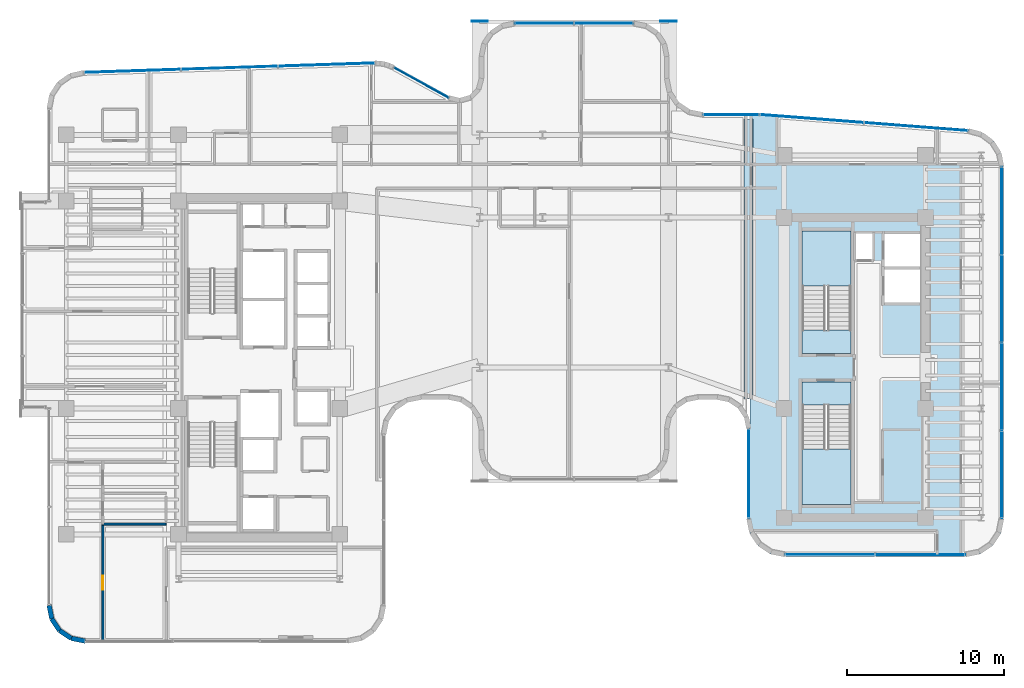
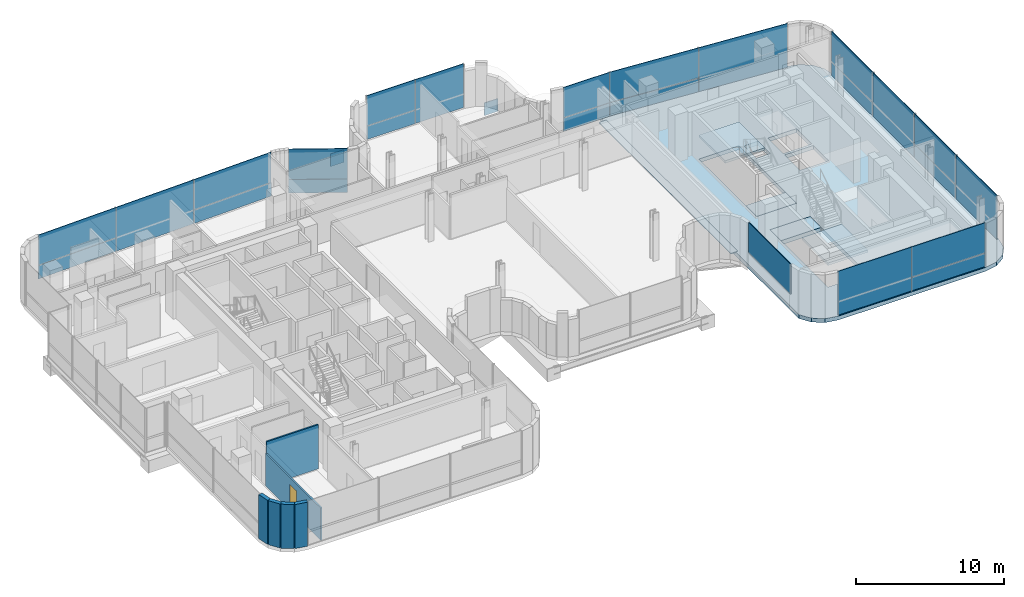
# One storey, part 25 of 38: 28 plates, 6 walls, 5 slabs, 1 door, 1 opening, 10 elements without a shape of their own.
"""IFC4 building model written with IfcOpenShell, lengths in metres."""

from ifc_helpers import new_model, si_unit, direction, frame, frame_2d, origin, origin_2d, place, context, subcontext, project, spatial, polyline, rectangle, outline, extrude, source, transform, mapped, material, layer, layer_set, type_object, element, fill, aggregate, save


model = new_model("IFC4")

# Units and contexts
model_context = context("Model", 3, precision=1e-05, world=origin(), true_north=direction((0.0, 1.0)))
body_context = subcontext(model_context, "Body", "Model", "MODEL_VIEW")
ifc_project = project(units=[si_unit("LENGTHUNIT", "METRE"), si_unit("AREAUNIT", "SQUARE_METRE"), si_unit("VOLUMEUNIT", "CUBIC_METRE"), si_unit("PLANEANGLEUNIT", "RADIAN"), si_unit("MASSUNIT", "GRAM", prefix="KILO")], contexts=[model_context])

# Site, building, storey
site_placement = place(None, origin())
site = spatial("IfcSite", under=ifc_project, at=site_placement, CompositionType="ELEMENT")
building_placement = place(site_placement, origin())
building = spatial("IfcBuilding", under=site, at=building_placement, Name="Valdorenza Pilgrim Sanctuary Tower", CompositionType="ELEMENT")
storey_placement = place(building_placement, frame((0.0, 0.0, 180.5)))
storey = spatial("IfcBuildingStorey", under=building, at=storey_placement, Name="L46", CompositionType="ELEMENT", Elevation=180.5)

# Slab
ifc_material_1 = material(Name="Concrete C40/50", Category="concrete")
ifc_layer_1 = layer(ifc_material_1, 0.320068359375, Name="Concrete C40/50")
ifc_layer_set_1 = layer_set([ifc_layer_1], Name="Concrete C40/50")
slab_type_1 = type_object("IfcSlabType", Name="SLAB-PRY-320", PredefinedType="FLOOR", material=ifc_layer_set_1)
slab_1_placement = place(storey_placement, frame((0.0, 0.0, -0.320068359375)))
element("IfcSlab", 1, at=slab_1_placement, inside=storey, type_object=slab_type_1, Name="L46 Structural Floor Slab 2", PredefinedType="FLOOR", context=body_context, shape_type="SweptSolid", body=[
    extrude(outline(polyline([(27.585205078125, 15.17138671875), (28.4453125, 14.93896484375), (29.161376953125, 14.408935546875), (29.634521484375, 13.654052734375), (29.800048828125, 12.778564453125), (29.800048828125, -9.60009765625), (29.6171875, -10.518310546875), (29.09716796875, -11.297119140625), (28.318359375, -11.8173828125), (27.39990234375, -12.0), (15.89990234375, -12.0), (14.981689453125, -11.8173828125), (14.202880859375, -11.297119140625), (13.6826171875, -10.518310546875), (13.679931640625, -10.5048828125), (13.679931640625, 16.199951171875), (14.300048828125, 16.199951171875), (27.585205078125, 15.17138671875)]), holes=[polyline([(17.0, -8.699951171875), (20.110107421875, -8.699951171875), (20.110107421875, -2.385009765625), (20.110107421875, -0.89990234375), (17.0, -0.89990234375), (17.0, -2.385009765625), (17.0, -8.699951171875)]), polyline([(17.0, 0.89990234375), (20.110107421875, 0.89990234375), (20.110107421875, 2.385009765625), (20.110107421875, 8.699951171875), (17.0, 8.699951171875), (17.0, 2.385009765625), (17.0, 0.89990234375)]), polyline([(22.25, 4.14990234375), (24.47998046875, 4.14990234375), (24.47998046875, 6.22509765625), (22.25, 6.22509765625), (22.25, 4.14990234375)]), polyline([(22.25, 6.425048828125), (24.47998046875, 6.425048828125), (24.47998046875, 8.5), (22.25, 8.5), (22.25, 6.425048828125)]), polyline([(20.409912109375, 6.860107421875), (21.489990234375, 6.860107421875), (21.489990234375, 8.52001953125), (20.409912109375, 8.52001953125), (20.409912109375, 6.860107421875)])]), origin(), (0.0, 0.0, 1.0), 0.320068359375),
])

# Stair, slab
stair_type = type_object("IfcStairType", Name="STR-DOG-CORE", PredefinedType="HALF_TURN_STAIR", material=ifc_material_1)
stair_1_placement = place(storey_placement, origin())
stair_1 = element("IfcStair", 2, at=stair_1_placement, inside=storey, type_object=stair_type, Name="L46 ST-B1", PredefinedType="HALF_TURN_STAIR")
ifc_layer_2 = layer(ifc_material_1, 0.199951171875, Name="Concrete C40/50")
ifc_layer_set_2 = layer_set([ifc_layer_2], Name="Concrete C40/50")
slab_type_2 = type_object("IfcSlabType", Name="SLAB-STL-200", PredefinedType="LANDING", material=ifc_layer_set_2)
slab_2_placement = place(storey_placement, frame((0.0, 0.0, 1.77490234375)))
slab_2 = element("IfcSlab", 3, at=slab_2_placement, type_object=slab_type_2, Name="ST-B1 landing 1", PredefinedType="LANDING", context=body_context, shape_type="SweptSolid", body=[
    extrude(outline(polyline([(20.110107421875, 5.179931640625), (20.110107421875, 8.699951171875), (17.0, 8.699951171875), (17.0, 5.179931640625), (20.110107421875, 5.179931640625)])), origin(), (0.0, 0.0, 1.0), 0.2001953125),
])
aggregate(stair_1, [slab_2])

stair_2_placement = place(storey_placement, origin())
stair_2 = element("IfcStair", 4, at=stair_2_placement, inside=storey, type_object=stair_type, Name="L46 ST-B2", PredefinedType="HALF_TURN_STAIR")
slab_3_placement = place(storey_placement, frame((0.0, 0.0, 1.77490234375)))
slab_3 = element("IfcSlab", 5, at=slab_3_placement, type_object=slab_type_2, Name="ST-B2 landing 1", PredefinedType="LANDING", context=body_context, shape_type="SweptSolid", body=[
    extrude(outline(polyline([(17.0, -5.179931640625), (17.0, -8.699951171875), (20.110107421875, -8.699951171875), (20.110107421875, -5.179931640625), (17.0, -5.179931640625)])), origin(), (0.0, 0.0, 1.0), 0.2001953125),
])
aggregate(stair_2, [slab_3])

# Slabs
ifc_material_2 = material(Name="Concrete C50/60", Category="concrete")
ifc_layer_3 = layer(ifc_material_2, 0.39990234375, Name="Concrete C50/60")
ifc_layer_set_3 = layer_set([ifc_layer_3], Name="Concrete C50/60")
slab_type_3 = type_object("IfcSlabType", Name="SLAB-TRF-400", PredefinedType="FLOOR", material=ifc_layer_set_3)
slab_4_placement = place(storey_placement, frame((0.0, 0.0, -0.360107421875)))
element("IfcSlab", 6, at=slab_4_placement, inside=storey, type_object=slab_type_3, Name="L46 ST-B1 Structural Stair Landing Bearing Slab", PredefinedType="FLOOR", context=body_context, shape_type="SweptSolid", body=[
    extrude(outline(polyline([(17.0, 0.89990234375), (20.110107421875, 0.89990234375), (20.110107421875, 2.385009765625), (17.0, 2.385009765625), (17.0, 0.89990234375)])), origin(), (0.0, 0.0, 1.0), 0.360107421875),
])
slab_5_placement = place(storey_placement, frame((0.0, 0.0, -0.360107421875)))
element("IfcSlab", 7, at=slab_5_placement, inside=storey, type_object=slab_type_3, Name="L46 ST-B2 Structural Stair Landing Bearing Slab", PredefinedType="FLOOR", context=body_context, shape_type="SweptSolid", body=[
    extrude(outline(polyline([(17.0, -2.385009765625), (20.110107421875, -2.385009765625), (20.110107421875, -0.89990234375), (17.0, -0.89990234375), (17.0, -2.385009765625)])), origin(), (0.0, 0.0, 1.0), 0.360107421875),
])

# Plates
ifc_material_3 = material(Name="Steel ASTM A572 Grade 42", Category="steel")
ifc_layer_4 = layer(ifc_material_3, 0.06005859375, Name="Steel ASTM A572 Grade 42")
ifc_layer_set_4 = layer_set([ifc_layer_4], Name="Steel ASTM A572 Grade 42")
plate_type_1 = type_object("IfcPlateType", Name="PLT-CAP-60", PredefinedType="SHEET", material=ifc_layer_set_4)
shared_shape_1 = source(origin(), body_context, "Body", "SweptSolid", [
    extrude(rectangle(XDim=0.56005859375, YDim=17.800048828125, at=origin_2d()), origin(), (0.0, 0.0, 1.0), 0.06005859375),
])
plate_1_placement = place(storey_placement, frame((13.590087890625, 6.89990234375, -0.06005859375), z_axis=(0.0, 0.0, 1.0), x_axis=(1.0, 0.0, 0.0)))
element("IfcPlate", 8, at=plate_1_placement, inside=storey, type_object=plate_type_1, Name="L46 Portal Bridge Expansion Joint Cover Plate", PredefinedType="SHEET", context=body_context, shape_type="MappedRepresentation", body=[
    mapped(shared_shape_1, transform((0.0, 0.0, 0.0), x_axis=(1.0, 0.0, 0.0), y_axis=(0.0, 1.0, 0.0), z_axis=(0.0, 0.0, 1.0), scale=1.0)),
])
shared_shape_2 = source(origin(), body_context, "Body", "SweptSolid", [
    extrude(rectangle(XDim=1.0400390625, YDim=0.06005859375, at=origin_2d()), origin(), (0.0, 0.0, 1.0), 1.0400390625),
])
for number, where, z_axis, x_axis, name in (
    (9, (-3.5, 22.030029296875, -1.340087890625), (0.0, 0.0, 1.0), (1.0, 0.0, 0.0), "L46 North Prow Cantilever End Cap W"),
    (10, (8.5, 22.030029296875, -1.340087890625), (0.0, 0.0, 1.0), (1.0, 0.0, 0.0), "L46 North Prow Cantilever End Cap E"),
):
    element("IfcPlate", number, at=place(storey_placement, frame(where, z_axis=z_axis, x_axis=x_axis)), inside=storey, type_object=plate_type_1, Name=name, PredefinedType="SHEET", context=body_context, shape_type="MappedRepresentation", body=[
        mapped(shared_shape_2, transform((0.0, 0.0, 0.0), x_axis=(1.0, 0.0, 0.0), y_axis=(0.0, 1.0, 0.0), z_axis=(0.0, 0.0, 1.0), scale=1.0)),
    ])

# Curtain wall, plates
ifc_material_4 = material(Name="Curtain-wall IGU glazing", Category="glass")
curtain_wall_type_1 = type_object("IfcCurtainWallType", Name="CW-SYS-02", PredefinedType="NOTDEFINED", material=ifc_material_4)
curtain_wall_1_placement = place(storey_placement, origin())
curtain_wall_1 = element("IfcCurtainWall", 11, at=curtain_wall_1_placement, inside=storey, type_object=curtain_wall_type_1, Name="L46 Curtain Wall CW-L46-1-6", PredefinedType="NOTDEFINED")
ifc_material_5 = material(Name="Honed travertine limestone", Category="masonry")
ifc_layer_5 = layer(ifc_material_5, 0.050048828125, Name="Honed travertine limestone")
ifc_layer_set_5 = layer_set([ifc_layer_5], Name="Honed travertine limestone")
plate_type_2 = type_object("IfcPlateType", Name="CW-SPN-TRV", PredefinedType="USERDEFINED", material=ifc_layer_set_5)
shared_shape_3 = source(origin(), body_context, "Body", "SweptSolid", [
    extrude(rectangle(XDim=6.15185546875, YDim=0.06005859375, at=origin_2d()), origin(), (0.0, 0.0, 1.0), 1.10009765625),
])
plate_2_placement = place(storey_placement, frame((-25.57958984375, 18.866455078125, 0.010009765625), z_axis=(0.0, 0.0, 1.0), x_axis=(0.999470282811, 0.032544642846, 0.0)))
plate_2 = element("IfcPlate", 12, at=plate_2_placement, type_object=plate_type_2, Name="CW-L46-1-6 Travertine Spandrel 1", ObjectType="SPANDREL", PredefinedType="USERDEFINED", context=body_context, shape_type="MappedRepresentation", body=[
    mapped(shared_shape_3, transform((0.0, 0.0, 0.0), x_axis=(1.0, 0.0, 0.0), y_axis=(0.0, 1.0, 0.0), z_axis=(0.0, 0.0, 1.0), scale=1.0)),
])
plate_3_placement = place(storey_placement, frame((-13.2421875, 19.26806640625, 0.010009765625), z_axis=(0.0, 0.0, 1.0), x_axis=(0.999470282811, 0.032544642846, 0.0)))
plate_3 = element("IfcPlate", 13, at=plate_3_placement, type_object=plate_type_2, Name="CW-L46-1-6 Travertine Spandrel 3", ObjectType="SPANDREL", PredefinedType="USERDEFINED", context=body_context, shape_type="MappedRepresentation", body=[
    mapped(shared_shape_3, transform((0.0, 0.0, 0.0), x_axis=(1.0, 0.0, 0.0), y_axis=(0.0, 1.0, 0.0), z_axis=(0.0, 0.0, 1.0), scale=1.0)),
])

# Curtain wall, plate
curtain_wall_type_2 = type_object("IfcCurtainWallType", Name="CW-SYS-05", PredefinedType="NOTDEFINED", material=ifc_material_4)
curtain_wall_2_placement = place(storey_placement, origin())
curtain_wall_2 = element("IfcCurtainWall", 14, at=curtain_wall_2_placement, inside=storey, type_object=curtain_wall_type_2, Name="L46 Curtain Wall CW-L46-1-11", PredefinedType="NOTDEFINED")
shared_shape_4 = source(origin(), body_context, "Body", "SweptSolid", [
    extrude(rectangle(XDim=3.97607421875, YDim=0.06005859375, at=origin_2d()), origin(), (0.0, 0.0, 1.0), 1.10009765625),
])
plate_4_placement = place(storey_placement, frame((-7.222412109375, 18.12158203125, 0.010009765625), z_axis=(0.0, 0.0, 1.0), x_axis=(0.876214173829, -0.481921904027, 0.0)))
plate_4 = element("IfcPlate", 15, at=plate_4_placement, type_object=plate_type_2, Name="CW-L46-1-11 Travertine Spandrel 1", ObjectType="SPANDREL", PredefinedType="USERDEFINED", context=body_context, shape_type="MappedRepresentation", body=[
    mapped(shared_shape_4, transform((0.0, 0.0, 0.0), x_axis=(1.0, 0.0, 0.0), y_axis=(0.0, 1.0, 0.0), z_axis=(0.0, 0.0, 1.0), scale=1.0)),
])

curtain_wall_3_placement = place(storey_placement, origin())
curtain_wall_3 = element("IfcCurtainWall", 16, at=curtain_wall_3_placement, inside=storey, type_object=curtain_wall_type_2, Name="L46 Curtain Wall CW-L46-1-21", PredefinedType="NOTDEFINED")
shared_shape_5 = source(origin(), body_context, "Body", "SweptSolid", [
    extrude(rectangle(XDim=3.76513671875, YDim=0.06005859375, at=origin_2d()), origin(), (0.0, 0.0, 1.0), 1.10009765625),
])
plate_5_placement = place(storey_placement, frame((0.607421875, 21.889892578125, 0.010009765625), z_axis=(0.0, 0.0, 1.0), x_axis=(1.0, 0.0, 0.0)))
plate_5 = element("IfcPlate", 17, at=plate_5_placement, type_object=plate_type_2, Name="CW-L46-1-21 Travertine Spandrel 1", ObjectType="SPANDREL", PredefinedType="USERDEFINED", context=body_context, shape_type="MappedRepresentation", body=[
    mapped(shared_shape_5, transform((0.0, 0.0, 0.0), x_axis=(1.0, 0.0, 0.0), y_axis=(0.0, 1.0, 0.0), z_axis=(0.0, 0.0, 1.0), scale=1.0)),
])

curtain_wall_4_placement = place(storey_placement, origin())
curtain_wall_4 = element("IfcCurtainWall", 18, at=curtain_wall_4_placement, inside=storey, type_object=curtain_wall_type_2, Name="L46 Curtain Wall CW-L46-1-31", PredefinedType="NOTDEFINED")
shared_shape_6 = source(origin(), body_context, "Body", "SweptSolid", [
    extrude(rectangle(XDim=3.58251953125, YDim=0.06005859375, at=origin_2d()), origin(), (0.0, 0.0, 1.0), 1.10009765625),
])
plate_6_placement = place(storey_placement, frame((12.494384765625, 16.090087890625, 0.010009765625), z_axis=(0.0, 0.0, 1.0), x_axis=(1.0, 0.0, 0.0)))
plate_6 = element("IfcPlate", 19, at=plate_6_placement, type_object=plate_type_2, Name="CW-L46-1-31 Travertine Spandrel 1", ObjectType="SPANDREL", PredefinedType="USERDEFINED", context=body_context, shape_type="MappedRepresentation", body=[
    mapped(shared_shape_6, transform((0.0, 0.0, 0.0), x_axis=(1.0, 0.0, 0.0), y_axis=(0.0, 1.0, 0.0), z_axis=(0.0, 0.0, 1.0), scale=1.0)),
])

curtain_wall_type_3 = type_object("IfcCurtainWallType", Name="CW-SYS-03", PredefinedType="NOTDEFINED", material=ifc_material_4)
curtain_wall_5_placement = place(storey_placement, origin())
curtain_wall_5 = element("IfcCurtainWall", 20, at=curtain_wall_5_placement, inside=storey, type_object=curtain_wall_type_3, Name="L46 Curtain Wall CW-L46-1-32", PredefinedType="NOTDEFINED")
shared_shape_7 = source(origin(), body_context, "Body", "SweptSolid", [
    extrude(rectangle(XDim=6.63525390625, YDim=0.06005859375, at=origin_2d()), origin(), (0.0, 0.0, 1.0), 1.10009765625),
])
plate_7_placement = place(storey_placement, frame((17.61328125, 15.8330078125, 0.010009765625), z_axis=(0.0, 0.0, 1.0), x_axis=(0.997016488532, -0.077188869631, 0.0)))
plate_7 = element("IfcPlate", 21, at=plate_7_placement, type_object=plate_type_2, Name="CW-L46-1-32 Travertine Spandrel 1", ObjectType="SPANDREL", PredefinedType="USERDEFINED", context=body_context, shape_type="MappedRepresentation", body=[
    mapped(shared_shape_7, transform((0.0, 0.0, 0.0), x_axis=(1.0, 0.0, 0.0), y_axis=(0.0, 1.0, 0.0), z_axis=(0.0, 0.0, 1.0), scale=1.0)),
])

# Curtain wall, plates
curtain_wall_6_placement = place(storey_placement, origin())
curtain_wall_6 = element("IfcCurtainWall", 22, at=curtain_wall_6_placement, inside=storey, type_object=curtain_wall_type_3, Name="L46 Curtain Wall CW-L46-1-37", PredefinedType="NOTDEFINED")
shared_shape_8 = source(origin(), body_context, "Body", "SweptSolid", [
    extrude(rectangle(XDim=5.5693359375, YDim=0.06005859375, at=origin_2d()), origin(), (0.0, 0.0, 1.0), 1.10009765625),
])
plate_8_placement = place(storey_placement, frame((29.68994140625, 9.9736328125, 0.010009765625), z_axis=(0.0, 0.0, 1.0), x_axis=(0.0, -1.0, 0.0)))
plate_8 = element("IfcPlate", 23, at=plate_8_placement, type_object=plate_type_2, Name="CW-L46-1-37 Travertine Spandrel 1", ObjectType="SPANDREL", PredefinedType="USERDEFINED", context=body_context, shape_type="MappedRepresentation", body=[
    mapped(shared_shape_8, transform((0.0, 0.0, 0.0), x_axis=(1.0, 0.0, 0.0), y_axis=(0.0, 1.0, 0.0), z_axis=(0.0, 0.0, 1.0), scale=1.0)),
])
plate_9_placement = place(storey_placement, frame((29.68994140625, -1.205078125, 0.010009765625), z_axis=(0.0, 0.0, 1.0), x_axis=(0.0, -1.0, 0.0)))
plate_9 = element("IfcPlate", 24, at=plate_9_placement, type_object=plate_type_2, Name="CW-L46-1-37 Travertine Spandrel 3", ObjectType="SPANDREL", PredefinedType="USERDEFINED", context=body_context, shape_type="MappedRepresentation", body=[
    mapped(shared_shape_8, transform((0.0, 0.0, 0.0), x_axis=(1.0, 0.0, 0.0), y_axis=(0.0, 1.0, 0.0), z_axis=(0.0, 0.0, 1.0), scale=1.0)),
])

# Curtain wall, plate
curtain_wall_7_placement = place(storey_placement, origin())
curtain_wall_7 = element("IfcCurtainWall", 25, at=curtain_wall_7_placement, inside=storey, type_object=curtain_wall_type_3, Name="L46 Curtain Wall CW-L46-1-42", PredefinedType="NOTDEFINED")
shared_shape_9 = source(origin(), body_context, "Body", "SweptSolid", [
    extrude(rectangle(XDim=5.71923828125, YDim=0.06005859375, at=origin_2d()), origin(), (0.0, 0.0, 1.0), 1.10009765625),
])
plate_10_placement = place(storey_placement, frame((24.51953125, -11.889892578125, 0.010009765625), z_axis=(0.0, 0.0, 1.0), x_axis=(-1.0, 0.0, 0.0)))
plate_10 = element("IfcPlate", 26, at=plate_10_placement, type_object=plate_type_2, Name="CW-L46-1-42 Travertine Spandrel 1", ObjectType="SPANDREL", PredefinedType="USERDEFINED", context=body_context, shape_type="MappedRepresentation", body=[
    mapped(shared_shape_9, transform((0.0, 0.0, 0.0), x_axis=(1.0, 0.0, 0.0), y_axis=(0.0, 1.0, 0.0), z_axis=(0.0, 0.0, 1.0), scale=1.0)),
])

# Plate
ifc_material_6 = material(Name="Ceramic-fritted low-E IGU glazing", Category="glass")
ifc_layer_6 = layer(ifc_material_6, 0.035888671875, Name="Ceramic-fritted low-E IGU glazing")
ifc_layer_set_6 = layer_set([ifc_layer_6], Name="Ceramic-fritted low-E IGU glazing")
plate_type_3 = type_object("IfcPlateType", Name="CW-GLZ-IGU", PredefinedType="USERDEFINED", material=ifc_layer_set_6)
shared_shape_10 = source(origin(), body_context, "Body", "SweptSolid", [
    extrude(rectangle(XDim=6.15185546875, YDim=0.050048828125, at=origin_2d()), origin(), (0.0, 0.0, 1.0), 2.489990234375),
])
plate_11_placement = place(storey_placement, frame((-25.57958984375, 18.866455078125, 1.1298828125), z_axis=(0.0, 0.0, 1.0), x_axis=(0.999470282811, 0.032544642846, 0.0)))
plate_11 = element("IfcPlate", 27, at=plate_11_placement, type_object=plate_type_3, Name="CW-L46-1-6 Facade Panel 1", ObjectType="GLAZING", PredefinedType="USERDEFINED", context=body_context, shape_type="MappedRepresentation", body=[
    mapped(shared_shape_10, transform((0.0, 0.0, 0.0), x_axis=(1.0, 0.0, 0.0), y_axis=(0.0, 1.0, 0.0), z_axis=(0.0, 0.0, 1.0), scale=1.0)),
])

plate_12_placement = place(storey_placement, frame((-13.2421875, 19.26806640625, 1.1298828125), z_axis=(0.0, 0.0, 1.0), x_axis=(0.999470282811, 0.032544642846, 0.0)))
plate_12 = element("IfcPlate", 28, at=plate_12_placement, type_object=plate_type_3, Name="CW-L46-1-6 Facade Panel 3", ObjectType="GLAZING", PredefinedType="USERDEFINED", context=body_context, shape_type="MappedRepresentation", body=[
    mapped(shared_shape_10, transform((0.0, 0.0, 0.0), x_axis=(1.0, 0.0, 0.0), y_axis=(0.0, 1.0, 0.0), z_axis=(0.0, 0.0, 1.0), scale=1.0)),
])

shared_shape_11 = source(origin(), body_context, "Body", "SweptSolid", [
    extrude(rectangle(XDim=6.15185546875, YDim=0.050048828125, at=origin_2d()), origin(), (0.0, 0.0, 1.0), 3.610107421875),
])
plate_13_placement = place(storey_placement, frame((-19.410888671875, 19.0673828125, 0.009765625), z_axis=(0.0, 0.0, 1.0), x_axis=(0.999470282811, 0.032544642846, 0.0)))
plate_13 = element("IfcPlate", 29, at=plate_13_placement, type_object=plate_type_3, Name="CW-L46-1-6 Full-Height Facade Panel 2", ObjectType="GLAZING", PredefinedType="USERDEFINED", context=body_context, shape_type="MappedRepresentation", body=[
    mapped(shared_shape_11, transform((0.0, 0.0, 0.0), x_axis=(1.0, 0.0, 0.0), y_axis=(0.0, 1.0, 0.0), z_axis=(0.0, 0.0, 1.0), scale=1.0)),
])

aggregate(curtain_wall_1, [plate_2, plate_11, plate_13, plate_3, plate_12])

shared_shape_12 = source(origin(), body_context, "Body", "SweptSolid", [
    extrude(rectangle(XDim=3.97607421875, YDim=0.050048828125, at=origin_2d()), origin(), (0.0, 0.0, 1.0), 2.489990234375),
])
plate_14_placement = place(storey_placement, frame((-7.222412109375, 18.12158203125, 1.1298828125), z_axis=(0.0, 0.0, 1.0), x_axis=(0.876214173829, -0.481921904027, 0.0)))
plate_14 = element("IfcPlate", 30, at=plate_14_placement, type_object=plate_type_3, Name="CW-L46-1-11 Facade Panel 1", ObjectType="GLAZING", PredefinedType="USERDEFINED", context=body_context, shape_type="MappedRepresentation", body=[
    mapped(shared_shape_12, transform((0.0, 0.0, 0.0), x_axis=(1.0, 0.0, 0.0), y_axis=(0.0, 1.0, 0.0), z_axis=(0.0, 0.0, 1.0), scale=1.0)),
])

aggregate(curtain_wall_2, [plate_4, plate_14])

shared_shape_13 = source(origin(), body_context, "Body", "SweptSolid", [
    extrude(rectangle(XDim=3.76513671875, YDim=0.050048828125, at=origin_2d()), origin(), (0.0, 0.0, 1.0), 2.489990234375),
])
plate_15_placement = place(storey_placement, frame((0.607421875, 21.889892578125, 1.1298828125), z_axis=(0.0, 0.0, 1.0), x_axis=(1.0, 0.0, 0.0)))
plate_15 = element("IfcPlate", 31, at=plate_15_placement, type_object=plate_type_3, Name="CW-L46-1-21 Facade Panel 1", ObjectType="GLAZING", PredefinedType="USERDEFINED", context=body_context, shape_type="MappedRepresentation", body=[
    mapped(shared_shape_13, transform((0.0, 0.0, 0.0), x_axis=(1.0, 0.0, 0.0), y_axis=(0.0, 1.0, 0.0), z_axis=(0.0, 0.0, 1.0), scale=1.0)),
])

shared_shape_14 = source(origin(), body_context, "Body", "SweptSolid", [
    extrude(rectangle(XDim=3.76513671875, YDim=0.050048828125, at=origin_2d()), origin(), (0.0, 0.0, 1.0), 3.610107421875),
])
plate_16_placement = place(storey_placement, frame((4.392578125, 21.889892578125, 0.009765625), z_axis=(0.0, 0.0, 1.0), x_axis=(1.0, 0.0, 0.0)))
plate_16 = element("IfcPlate", 32, at=plate_16_placement, type_object=plate_type_3, Name="CW-L46-1-21 Full-Height Facade Panel 2", ObjectType="GLAZING", PredefinedType="USERDEFINED", context=body_context, shape_type="MappedRepresentation", body=[
    mapped(shared_shape_14, transform((0.0, 0.0, 0.0), x_axis=(1.0, 0.0, 0.0), y_axis=(0.0, 1.0, 0.0), z_axis=(0.0, 0.0, 1.0), scale=1.0)),
])

aggregate(curtain_wall_3, [plate_5, plate_15, plate_16])

shared_shape_15 = source(origin(), body_context, "Body", "SweptSolid", [
    extrude(rectangle(XDim=3.58251953125, YDim=0.050048828125, at=origin_2d()), origin(), (0.0, 0.0, 1.0), 2.489990234375),
])
plate_17_placement = place(storey_placement, frame((12.494384765625, 16.090087890625, 1.1298828125), z_axis=(0.0, 0.0, 1.0), x_axis=(1.0, 0.0, 0.0)))
plate_17 = element("IfcPlate", 33, at=plate_17_placement, type_object=plate_type_3, Name="CW-L46-1-31 Facade Panel 1", ObjectType="GLAZING", PredefinedType="USERDEFINED", context=body_context, shape_type="MappedRepresentation", body=[
    mapped(shared_shape_15, transform((0.0, 0.0, 0.0), x_axis=(1.0, 0.0, 0.0), y_axis=(0.0, 1.0, 0.0), z_axis=(0.0, 0.0, 1.0), scale=1.0)),
])

aggregate(curtain_wall_4, [plate_6, plate_17])

shared_shape_16 = source(origin(), body_context, "Body", "SweptSolid", [
    extrude(rectangle(XDim=6.63525390625, YDim=0.050048828125, at=origin_2d()), origin(), (0.0, 0.0, 1.0), 2.489990234375),
])
plate_18_placement = place(storey_placement, frame((17.61328125, 15.8330078125, 1.1298828125), z_axis=(0.0, 0.0, 1.0), x_axis=(0.997016488532, -0.077188869631, 0.0)))
plate_18 = element("IfcPlate", 34, at=plate_18_placement, type_object=plate_type_3, Name="CW-L46-1-32 Facade Panel 1", ObjectType="GLAZING", PredefinedType="USERDEFINED", context=body_context, shape_type="MappedRepresentation", body=[
    mapped(shared_shape_16, transform((0.0, 0.0, 0.0), x_axis=(1.0, 0.0, 0.0), y_axis=(0.0, 1.0, 0.0), z_axis=(0.0, 0.0, 1.0), scale=1.0)),
])

shared_shape_17 = source(origin(), body_context, "Body", "SweptSolid", [
    extrude(rectangle(XDim=6.63525390625, YDim=0.050048828125, at=origin_2d()), origin(), (0.0, 0.0, 1.0), 3.610107421875),
])
plate_19_placement = place(storey_placement, frame((24.248779296875, 15.3193359375, 0.009765625), z_axis=(0.0, 0.0, 1.0), x_axis=(0.997016488532, -0.077188869631, 0.0)))
plate_19 = element("IfcPlate", 35, at=plate_19_placement, type_object=plate_type_3, Name="CW-L46-1-32 Full-Height Facade Panel 2", ObjectType="GLAZING", PredefinedType="USERDEFINED", context=body_context, shape_type="MappedRepresentation", body=[
    mapped(shared_shape_17, transform((0.0, 0.0, 0.0), x_axis=(1.0, 0.0, 0.0), y_axis=(0.0, 1.0, 0.0), z_axis=(0.0, 0.0, 1.0), scale=1.0)),
])

aggregate(curtain_wall_5, [plate_7, plate_18, plate_19])

shared_shape_18 = source(origin(), body_context, "Body", "SweptSolid", [
    extrude(rectangle(XDim=5.5693359375, YDim=0.050048828125, at=origin_2d()), origin(), (0.0, 0.0, 1.0), 2.489990234375),
])
plate_20_placement = place(storey_placement, frame((29.68994140625, 9.9736328125, 1.1298828125), z_axis=(0.0, 0.0, 1.0), x_axis=(0.0, -1.0, 0.0)))
plate_20 = element("IfcPlate", 36, at=plate_20_placement, type_object=plate_type_3, Name="CW-L46-1-37 Facade Panel 1", ObjectType="GLAZING", PredefinedType="USERDEFINED", context=body_context, shape_type="MappedRepresentation", body=[
    mapped(shared_shape_18, transform((0.0, 0.0, 0.0), x_axis=(1.0, 0.0, 0.0), y_axis=(0.0, 1.0, 0.0), z_axis=(0.0, 0.0, 1.0), scale=1.0)),
])

plate_21_placement = place(storey_placement, frame((29.68994140625, -1.205078125, 1.1298828125), z_axis=(0.0, 0.0, 1.0), x_axis=(0.0, -1.0, 0.0)))
plate_21 = element("IfcPlate", 37, at=plate_21_placement, type_object=plate_type_3, Name="CW-L46-1-37 Facade Panel 3", ObjectType="GLAZING", PredefinedType="USERDEFINED", context=body_context, shape_type="MappedRepresentation", body=[
    mapped(shared_shape_18, transform((0.0, 0.0, 0.0), x_axis=(1.0, 0.0, 0.0), y_axis=(0.0, 1.0, 0.0), z_axis=(0.0, 0.0, 1.0), scale=1.0)),
])

shared_shape_19 = source(origin(), body_context, "Body", "SweptSolid", [
    extrude(rectangle(XDim=5.5693359375, YDim=0.050048828125, at=origin_2d()), origin(), (0.0, 0.0, 1.0), 3.610107421875),
])
plate_22_placement = place(storey_placement, frame((29.68994140625, 4.38427734375, 0.009765625), z_axis=(0.0, 0.0, 1.0), x_axis=(0.0, -1.0, 0.0)))
plate_22 = element("IfcPlate", 38, at=plate_22_placement, type_object=plate_type_3, Name="CW-L46-1-37 Full-Height Facade Panel 2", ObjectType="GLAZING", PredefinedType="USERDEFINED", context=body_context, shape_type="MappedRepresentation", body=[
    mapped(shared_shape_19, transform((0.0, 0.0, 0.0), x_axis=(1.0, 0.0, 0.0), y_axis=(0.0, 1.0, 0.0), z_axis=(0.0, 0.0, 1.0), scale=1.0)),
])

plate_23_placement = place(storey_placement, frame((29.68994140625, -6.79443359375, 0.009765625), z_axis=(0.0, 0.0, 1.0), x_axis=(0.0, -1.0, 0.0)))
plate_23 = element("IfcPlate", 39, at=plate_23_placement, type_object=plate_type_3, Name="CW-L46-1-37 Full-Height Facade Panel 4", ObjectType="GLAZING", PredefinedType="USERDEFINED", context=body_context, shape_type="MappedRepresentation", body=[
    mapped(shared_shape_19, transform((0.0, 0.0, 0.0), x_axis=(1.0, 0.0, 0.0), y_axis=(0.0, 1.0, 0.0), z_axis=(0.0, 0.0, 1.0), scale=1.0)),
])

aggregate(curtain_wall_6, [plate_8, plate_20, plate_22, plate_9, plate_21, plate_23])

shared_shape_20 = source(origin(), body_context, "Body", "SweptSolid", [
    extrude(rectangle(XDim=5.71923828125, YDim=0.050048828125, at=origin_2d()), origin(), (0.0, 0.0, 1.0), 2.489990234375),
])
plate_24_placement = place(storey_placement, frame((24.51953125, -11.889892578125, 1.1298828125), z_axis=(0.0, 0.0, 1.0), x_axis=(-1.0, 0.0, 0.0)))
plate_24 = element("IfcPlate", 40, at=plate_24_placement, type_object=plate_type_3, Name="CW-L46-1-42 Facade Panel 1", ObjectType="GLAZING", PredefinedType="USERDEFINED", context=body_context, shape_type="MappedRepresentation", body=[
    mapped(shared_shape_20, transform((0.0, 0.0, 0.0), x_axis=(1.0, 0.0, 0.0), y_axis=(0.0, 1.0, 0.0), z_axis=(0.0, 0.0, 1.0), scale=1.0)),
])

shared_shape_21 = source(origin(), body_context, "Body", "SweptSolid", [
    extrude(rectangle(XDim=5.71923828125, YDim=0.050048828125, at=origin_2d()), origin(), (0.0, 0.0, 1.0), 3.610107421875),
])
plate_25_placement = place(storey_placement, frame((18.780517578125, -11.889892578125, 0.009765625), z_axis=(0.0, 0.0, 1.0), x_axis=(-1.0, 0.0, 0.0)))
plate_25 = element("IfcPlate", 41, at=plate_25_placement, type_object=plate_type_3, Name="CW-L46-1-42 Full-Height Facade Panel 2", ObjectType="GLAZING", PredefinedType="USERDEFINED", context=body_context, shape_type="MappedRepresentation", body=[
    mapped(shared_shape_21, transform((0.0, 0.0, 0.0), x_axis=(1.0, 0.0, 0.0), y_axis=(0.0, 1.0, 0.0), z_axis=(0.0, 0.0, 1.0), scale=1.0)),
])

aggregate(curtain_wall_7, [plate_10, plate_24, plate_25])

# Curtain wall, plate
curtain_wall_8_placement = place(storey_placement, origin())
curtain_wall_8 = element("IfcCurtainWall", 42, at=curtain_wall_8_placement, inside=storey, type_object=curtain_wall_type_2, Name="L46 Curtain Wall CW-L46-1-47", PredefinedType="NOTDEFINED")
shared_shape_22 = source(origin(), body_context, "Body", "SweptSolid", [
    extrude(rectangle(XDim=5.679931640625, YDim=0.050048828125, at=origin_2d()), origin(), (0.0, 0.0, 1.0), 2.489990234375),
])
plate_26_placement = place(storey_placement, frame((13.610107421875, -6.7392578125, 1.1298828125), z_axis=(0.0, 0.0, 1.0), x_axis=(0.0, 1.0, 0.0)))
plate_26 = element("IfcPlate", 43, at=plate_26_placement, type_object=plate_type_3, Name="CW-L46-1-47 Facade Panel 1", ObjectType="GLAZING", PredefinedType="USERDEFINED", context=body_context, shape_type="MappedRepresentation", body=[
    mapped(shared_shape_22, transform((0.0, 0.0, 0.0), x_axis=(1.0, 0.0, 0.0), y_axis=(0.0, 1.0, 0.0), z_axis=(0.0, 0.0, 1.0), scale=1.0)),
])
aggregate(curtain_wall_8, [plate_26])

# Walls
ifc_layer_7 = layer(ifc_material_5, 0.300048828125, Name="Honed travertine limestone")
ifc_layer_set_7 = layer_set([ifc_layer_7], Name="Honed travertine limestone")
wall_type_1 = type_object("IfcWallType", Name="WAL-EXT-300", PredefinedType="SOLIDWALL", material=ifc_layer_set_7)
wall_1_placement = place(storey_placement, frame((-28.589111328125, -17.389892578125, 0.0), z_axis=(0.0, 0.0, 1.0), x_axis=(-0.980798241101, 0.195025152871, 0.0)))
element("IfcWall", 44, at=wall_1_placement, inside=storey, type_object=wall_type_1, Name="L46 Rounded Wind-Corner Stone Pier 83", PredefinedType="SOLIDWALL", context=body_context, shape_type="SweptSolid", body=[
    extrude(rectangle(XDim=0.90380859375, YDim=0.300048828125, at=frame_2d((0.451904296875, 0.0))), origin(), (0.0, 0.0, 1.0), 3.6298828125),
])
for number, where, z_axis, x_axis, name in (
    (45, (-29.4755859375, -17.213623046875, 0.0), (0.0, 0.0, 1.0), (-0.831502848374, 0.555520488502, 0.0), "L46 Rounded Wind-Corner Stone Pier 84"),
    (46, (-30.2177734375, -16.7177734375, 0.0), (0.0, 0.0, 1.0), (-0.555520488502, 0.831502848374, 0.0), "L46 Rounded Wind-Corner Stone Pier 85"),
):
    element("IfcWall", number, at=place(storey_placement, frame(where, z_axis=z_axis, x_axis=x_axis)), inside=storey, type_object=wall_type_1, Name=name, PredefinedType="SOLIDWALL", context=body_context, shape_type="SweptSolid", body=[
        extrude(rectangle(XDim=0.892578125, YDim=0.300048828125, at=frame_2d((0.4462890625, 0.0))), origin(), (0.0, 0.0, 1.0), 3.6298828125),
    ])
wall_2_placement = place(storey_placement, frame((-30.713623046875, -15.9755859375, 0.0), z_axis=(0.0, 0.0, 1.0), x_axis=(-0.195025152871, 0.980798241101, 0.0)))
element("IfcWall", 47, at=wall_2_placement, inside=storey, type_object=wall_type_1, Name="L46 Rounded Wind-Corner Stone Pier 86", PredefinedType="SOLIDWALL", context=body_context, shape_type="SweptSolid", body=[
    extrude(rectangle(XDim=0.90380859375, YDim=0.300048828125, at=frame_2d((0.451904296875, 0.0))), origin(), (0.0, 0.0, 1.0), 3.6298828125),
])
ifc_material_7 = material(Name="Moisture-resistant gypsum partition", Category="gypsum")
ifc_layer_8 = layer(ifc_material_7, 0.1201171875, Name="Moisture-resistant gypsum partition")
ifc_layer_set_8 = layer_set([ifc_layer_8], Name="Moisture-resistant gypsum partition")
wall_type_2 = type_object("IfcWallType", Name="WAL-INT-120", PredefinedType="PARTITIONING", material=ifc_layer_set_8)
wall_3_placement = place(storey_placement, frame((-27.467529296875, -9.949951171875, 0.0), z_axis=(0.0, 0.0, 1.0), x_axis=(1.0, 0.0, 0.0)))
element("IfcWall", 48, at=wall_3_placement, inside=storey, type_object=wall_type_2, Name="L46 Sanctuary Apartment L46-CS1 Kitchen-Bedroom Wall", PredefinedType="PARTITIONING", context=body_context, shape_type="SweptSolid", body=[
    extrude(rectangle(XDim=4.017578125, YDim=0.1201171875, at=frame_2d((2.0087890625, 0.0))), origin(), (0.0, 0.0, 1.0), 3.6298828125),
])

# Wall, opening, door
wall_4_placement = place(storey_placement, frame((-27.467529296875, -17.389892578125, 0.0), z_axis=(0.0, 0.0, 1.0), x_axis=(0.0, 1.0, 0.0)))
wall_4 = element("IfcWall", 49, at=wall_4_placement, inside=storey, type_object=wall_type_2, Name="L46 Sanctuary Apartment L46-CS1 Bedroom Door Wall", PredefinedType="PARTITIONING", context=body_context, shape_type="SweptSolid", body=[
    extrude(rectangle(XDim=7.43994140625, YDim=0.1201171875, at=frame_2d((3.719970703125, 0.0))), origin(), (0.0, 0.0, 1.0), 2.6650390625),
])
opening_placement = place(wall_4_placement, frame((3.27001953125, 0.0, 0.0)))
opening = element("IfcOpeningElement", 50, at=opening_placement, cuts=wall_4, Name="Opening DR-RM1", PredefinedType="OPENING", context=body_context, shape_type="SweptSolid", body=[
    extrude(rectangle(XDim=0.89990234375, YDim=2.10009765625, at=frame_2d((0.449951171875, 1.050048828125))), frame((0.0, 0.074951171875, 0.0), z_axis=(0.0, -1.0, 0.0), x_axis=(1.0, 0.0, 0.0)), (0.0, 0.0, 1.0), 0.14990234375),
])
ifc_material_8 = material(Name="Solid-core European oak timber", Category="wood")
door_type = type_object("IfcDoorType", Name="DR-ROOM-900", OperationType="NOTDEFINED", PredefinedType="DOOR", material=ifc_material_8)
door_placement = place(opening_placement, origin())
door = element("IfcDoor", 51, at=door_placement, inside=storey, type_object=door_type, Name="L46 Sanctuary Apartment L46-CS1 Bedroom Door", OperationType="SINGLE_SWING_RIGHT", OverallHeight=2.10009765625, OverallWidth=0.89990234375, PredefinedType="DOOR", context=body_context, shape_type="SweptSolid", body=[
    extrude(rectangle(XDim=0.89990234375, YDim=2.10009765625, at=frame_2d((0.449951171875, 1.050048828125))), frame((0.0, 0.02490234375, 0.0), z_axis=(0.0, -1.0, 0.0), x_axis=(1.0, 0.0, 0.0)), (0.0, 0.0, 1.0), 0.050048828125),
])
fill(opening, door)

save(model, "model.ifc")
